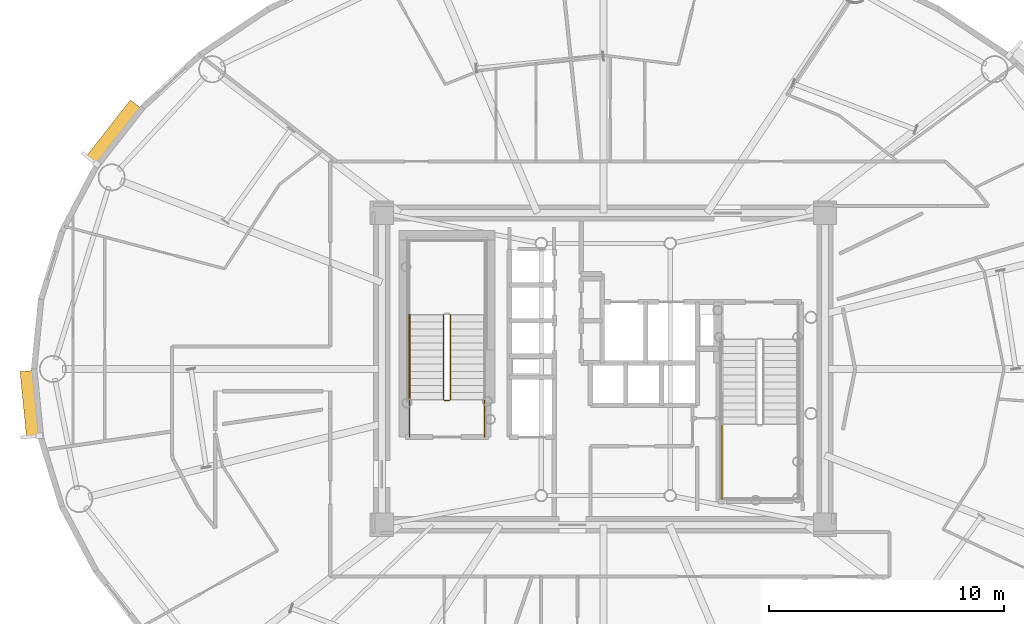
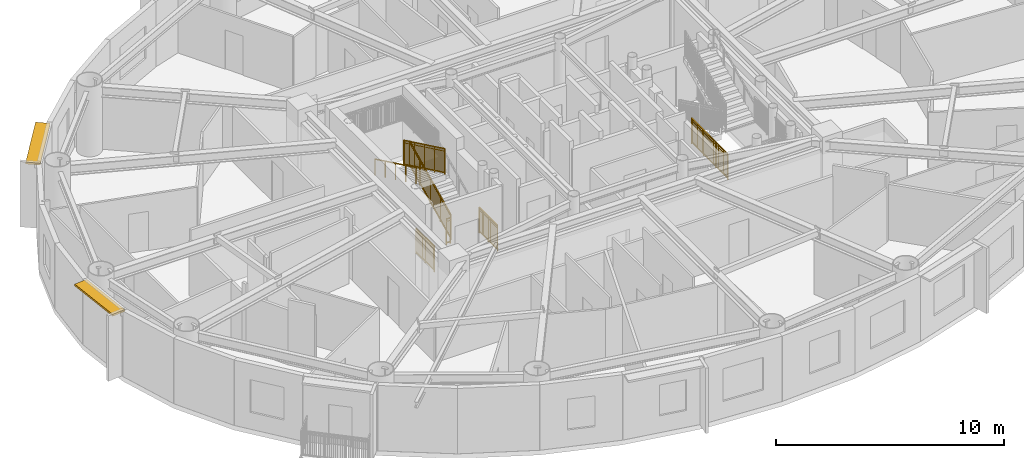
# One storey, part 15 of 20: 7 railings, 2 shading devices.
"""IFC4 building model written with IfcOpenShell, lengths in metres."""

from ifc_helpers import new_model, si_unit, direction, frame, origin, origin_2d, place, context, subcontext, project, spatial, rectangle, extrude, source, transform, mapped, material, layer, layer_set, type_object, element, save


model = new_model("IFC4")

# Units and contexts
model_context = context("Model", 3, precision=1e-05, world=origin(), true_north=direction((0.0, 1.0)))
body_context = subcontext(model_context, "Body", "Model", "MODEL_VIEW")
ifc_project = project(units=[si_unit("LENGTHUNIT", "METRE"), si_unit("AREAUNIT", "SQUARE_METRE"), si_unit("VOLUMEUNIT", "CUBIC_METRE"), si_unit("PLANEANGLEUNIT", "RADIAN"), si_unit("MASSUNIT", "GRAM", prefix="KILO")], contexts=[model_context])

# Site, building, storey
site_placement = place(None, origin())
site = spatial("IfcSite", under=ifc_project, at=site_placement, CompositionType="ELEMENT")
building_placement = place(site_placement, origin())
building = spatial("IfcBuilding", under=site, at=building_placement, Name="Linh Dai School and Residence Tower", CompositionType="ELEMENT")
storey_placement = place(building_placement, frame((0.0, 0.0, 232.800048828125)))
storey = spatial("IfcBuildingStorey", under=building, at=storey_placement, Name="L57", CompositionType="ELEMENT", Elevation=232.800048828125)

# Shading devices
ifc_material_1 = material(Name="Terracotta Ceramic Sunshade", Category="masonry")
ifc_layer = layer(ifc_material_1, 0.10009765625)
ifc_layer_set = layer_set([ifc_layer], Name="Terracotta Ceramic Sunshade")
shading_device_type = type_object("IfcShadingDeviceType", Name="SHD-TC-650", PredefinedType="USERDEFINED", material=ifc_layer_set)
shared_shape_1 = source(origin(), body_context, "Body", "SweptSolid", [
    extrude(rectangle(XDim=2.859619140625, YDim=0.64990234375, at=origin_2d()), origin(), (0.0, 0.0, 1.0), 0.10009765625),
])
shading_device_1_placement = place(storey_placement, frame((11.59033203125, 25.489501953125, 3.3798828125), z_axis=(0.0, 0.0, 1.0), x_axis=(-0.100012244219, 0.99498620644, 0.0)))
element("IfcShadingDevice", 1, at=shading_device_1_placement, inside=storey, type_object=shading_device_type, Name="L57 Terracotta Horizontal Sunshade Band 21", ObjectType="SUNSHADE", PredefinedType="USERDEFINED", context=body_context, shape_type="MappedRepresentation", body=[
    mapped(shared_shape_1, transform((0.0, 0.0, 0.0), x_axis=(1.0, 0.0, 0.0), y_axis=(0.0, 1.0, 0.0), z_axis=(0.0, 0.0, 1.0), scale=1.0)),
])
shared_shape_2 = source(origin(), body_context, "Body", "SweptSolid", [
    extrude(rectangle(XDim=3.095703125, YDim=0.64990234375, at=origin_2d()), origin(), (0.0, 0.0, 1.0), 0.10009765625),
])
shading_device_2_placement = place(storey_placement, frame((15.133544921875, 37.050537109375, 3.3798828125), z_axis=(0.0, 0.0, 1.0), x_axis=(0.616331674867, 0.787486677066, 0.0)))
element("IfcShadingDevice", 2, at=shading_device_2_placement, inside=storey, type_object=shading_device_type, Name="L57 Terracotta Horizontal Sunshade Band 17", ObjectType="SUNSHADE", PredefinedType="USERDEFINED", context=body_context, shape_type="MappedRepresentation", body=[
    mapped(shared_shape_2, transform((0.0, 0.0, 0.0), x_axis=(1.0, 0.0, 0.0), y_axis=(0.0, 1.0, 0.0), z_axis=(0.0, 0.0, 1.0), scale=1.0)),
])

# Railings
ifc_material_2 = material(Name="Structural Steel S355JR", Category="steel")
railing_type_1 = type_object("IfcRailingType", Name="RL-ST-GUARD-1400", PredefinedType="GUARDRAIL", material=ifc_material_2)
shared_shape_3 = source(origin(), body_context, "Body", "SweptSolid", [
    extrude(rectangle(XDim=0.048095703125, YDim=0.048095703125, at=origin_2d()), frame((0.0, 0.0, 1.3759765625), z_axis=(-1.0, 0.0, 0.0), x_axis=(0.0, -1.0, 0.0)), (0.0, 0.0, 1.0), 0.199951171875),
    extrude(rectangle(XDim=0.048095703125, YDim=0.048095703125, at=origin_2d()), frame((0.0, 0.0, 0.10009765625), z_axis=(-1.0, 0.0, 0.0), x_axis=(0.0, -1.0, 0.0)), (0.0, 0.0, 1.0), 0.199951171875),
    extrude(rectangle(XDim=0.030029296875, YDim=0.030029296875, at=origin_2d()), frame((0.0, 0.0, 1.239990234375), z_axis=(-1.0, 0.0, 0.0), x_axis=(0.0, -1.0, 0.0)), (0.0, 0.0, 1.0), 0.199951171875),
    extrude(rectangle(XDim=0.0419921875, YDim=0.0419921875, at=origin_2d()), origin(), (0.0, 0.0, 1.0), 1.3759765625),
    extrude(rectangle(XDim=0.0419921875, YDim=0.0419921875, at=origin_2d()), frame((-0.199951171875, 0.0, 0.0)), (0.0, 0.0, 1.0), 1.3759765625),
])
railing_1_placement = place(storey_placement, frame((29.429931640625, 25.64990234375, 0.0)))
element("IfcRailing", 3, at=railing_1_placement, inside=storey, type_object=railing_type_1, Name="L57 ST1 stair guard 7", PredefinedType="GUARDRAIL", context=body_context, shape_type="MappedRepresentation", body=[
    mapped(shared_shape_3, transform((0.0, 0.0, 0.0), x_axis=(1.0, 0.0, 0.0), y_axis=(0.0, 1.0, 0.0), z_axis=(0.0, 0.0, 1.0), scale=1.0)),
])
shared_shape_4 = source(origin(), body_context, "Body", "SweptSolid", [
    extrude(rectangle(XDim=0.048095703125, YDim=0.048095703125, at=origin_2d()), frame((0.0, 0.0, 1.3759765625), z_axis=(0.0, 1.0, 0.0), x_axis=(-1.0, 0.0, 0.0)), (0.0, 0.0, 1.0), 1.599853515625),
    extrude(rectangle(XDim=0.048095703125, YDim=0.048095703125, at=origin_2d()), frame((0.0, 0.0, 0.10009765625), z_axis=(0.0, 1.0, 0.0), x_axis=(-1.0, 0.0, 0.0)), (0.0, 0.0, 1.0), 1.599853515625),
    extrude(rectangle(XDim=0.030029296875, YDim=0.030029296875, at=origin_2d()), frame((0.0, 0.0, 1.239990234375), z_axis=(0.0, 1.0, 0.0), x_axis=(-1.0, 0.0, 0.0)), (0.0, 0.0, 1.0), 1.599853515625),
    extrude(rectangle(XDim=0.02001953125, YDim=0.02001953125, at=origin_2d()), frame((0.0, 0.093994140625, 0.10009765625)), (0.0, 0.0, 1.0), 1.251708984375),
    extrude(rectangle(XDim=0.02001953125, YDim=0.02001953125, at=origin_2d()), frame((0.0, 0.188232421875, 0.10009765625)), (0.0, 0.0, 1.0), 1.251708984375),
    extrude(rectangle(XDim=0.02001953125, YDim=0.02001953125, at=origin_2d()), frame((0.0, 0.2822265625, 0.10009765625)), (0.0, 0.0, 1.0), 1.251708984375),
    extrude(rectangle(XDim=0.02001953125, YDim=0.02001953125, at=origin_2d()), frame((0.0, 0.37646484375, 0.10009765625)), (0.0, 0.0, 1.0), 1.251708984375),
    extrude(rectangle(XDim=0.02001953125, YDim=0.02001953125, at=origin_2d()), frame((0.0, 0.470458984375, 0.10009765625)), (0.0, 0.0, 1.0), 1.251708984375),
    extrude(rectangle(XDim=0.02001953125, YDim=0.02001953125, at=origin_2d()), frame((0.0, 0.564697265625, 0.10009765625)), (0.0, 0.0, 1.0), 1.251708984375),
    extrude(rectangle(XDim=0.02001953125, YDim=0.02001953125, at=origin_2d()), frame((0.0, 0.65869140625, 0.10009765625)), (0.0, 0.0, 1.0), 1.251708984375),
    extrude(rectangle(XDim=0.02001953125, YDim=0.02001953125, at=origin_2d()), frame((0.0, 0.7529296875, 0.10009765625)), (0.0, 0.0, 1.0), 1.251708984375),
    extrude(rectangle(XDim=0.02001953125, YDim=0.02001953125, at=origin_2d()), frame((0.0, 0.846923828125, 0.10009765625)), (0.0, 0.0, 1.0), 1.251708984375),
    extrude(rectangle(XDim=0.02001953125, YDim=0.02001953125, at=origin_2d()), frame((0.0, 0.941162109375, 0.10009765625)), (0.0, 0.0, 1.0), 1.251708984375),
    extrude(rectangle(XDim=0.02001953125, YDim=0.02001953125, at=origin_2d()), frame((0.0, 1.03515625, 0.10009765625)), (0.0, 0.0, 1.0), 1.251708984375),
    extrude(rectangle(XDim=0.02001953125, YDim=0.02001953125, at=origin_2d()), frame((0.0, 1.12939453125, 0.10009765625)), (0.0, 0.0, 1.0), 1.251708984375),
    extrude(rectangle(XDim=0.02001953125, YDim=0.02001953125, at=origin_2d()), frame((0.0, 1.223388671875, 0.10009765625)), (0.0, 0.0, 1.0), 1.251708984375),
    extrude(rectangle(XDim=0.02001953125, YDim=0.02001953125, at=origin_2d()), frame((0.0, 1.317626953125, 0.10009765625)), (0.0, 0.0, 1.0), 1.251708984375),
    extrude(rectangle(XDim=0.02001953125, YDim=0.02001953125, at=origin_2d()), frame((0.0, 1.41162109375, 0.10009765625)), (0.0, 0.0, 1.0), 1.251708984375),
    extrude(rectangle(XDim=0.02001953125, YDim=0.02001953125, at=origin_2d()), frame((0.0, 1.505859375, 0.10009765625)), (0.0, 0.0, 1.0), 1.251708984375),
    extrude(rectangle(XDim=0.0419921875, YDim=0.0419921875, at=origin_2d()), origin(), (0.0, 0.0, 1.0), 1.3759765625),
    extrude(rectangle(XDim=0.0419921875, YDim=0.0419921875, at=origin_2d()), frame((0.0, 0.7998046875, 0.0)), (0.0, 0.0, 1.0), 1.3759765625),
    extrude(rectangle(XDim=0.0419921875, YDim=0.0419921875, at=origin_2d()), frame((0.0, 1.599853515625, 0.0)), (0.0, 0.0, 1.0), 1.3759765625),
])
for number, where, name in (
    (4, (30.929931640625, 24.10009765625, 0.0), "L57 ST1 stair guard 8"),
    (5, (27.72998046875, 24.10009765625, 0.0), "L57 ST1 stair guard 9"),
):
    element("IfcRailing", number, at=place(storey_placement, frame(where)), inside=storey, type_object=railing_type_1, Name=name, PredefinedType="GUARDRAIL", context=body_context, shape_type="MappedRepresentation", body=[
        mapped(shared_shape_4, transform((0.0, 0.0, 0.0), x_axis=(1.0, 0.0, 0.0), y_axis=(0.0, 1.0, 0.0), z_axis=(0.0, 0.0, 1.0), scale=1.0)),
    ])
shared_shape_5 = source(origin(), body_context, "Body", "SweptSolid", [
    extrude(rectangle(XDim=0.048095703125, YDim=0.048095703125, at=origin_2d()), frame((0.0, 0.0, 1.3759765625), z_axis=(0.0, 0.901262522062, 0.433273431364), x_axis=(-1.0, 0.0, 0.0)), (0.0, 0.0, 1.0), 3.994384765625),
    extrude(rectangle(XDim=0.048095703125, YDim=0.048095703125, at=origin_2d()), frame((0.0, 0.0, 0.10009765625), z_axis=(0.0, 0.901262522062, 0.433273431364), x_axis=(-1.0, 0.0, 0.0)), (0.0, 0.0, 1.0), 3.994384765625),
    extrude(rectangle(XDim=0.030029296875, YDim=0.030029296875, at=origin_2d()), frame((0.0, 0.0, 1.239990234375), z_axis=(0.0, 0.901262522062, 0.433273431364), x_axis=(-1.0, 0.0, 0.0)), (0.0, 0.0, 1.0), 3.994384765625),
    extrude(rectangle(XDim=0.02001953125, YDim=0.02001953125, at=origin_2d()), frame((0.0, 0.087890625, 0.142333984375)), (0.0, 0.0, 1.0), 1.251708984375),
    extrude(rectangle(XDim=0.02001953125, YDim=0.02001953125, at=origin_2d()), frame((0.0, 0.175537109375, 0.1845703125)), (0.0, 0.0, 1.0), 1.251708984375),
    extrude(rectangle(XDim=0.02001953125, YDim=0.02001953125, at=origin_2d()), frame((0.0, 0.263427734375, 0.226806640625)), (0.0, 0.0, 1.0), 1.251708984375),
    extrude(rectangle(XDim=0.02001953125, YDim=0.02001953125, at=origin_2d()), frame((0.0, 0.351318359375, 0.26904296875)), (0.0, 0.0, 1.0), 1.251708984375),
    extrude(rectangle(XDim=0.02001953125, YDim=0.02001953125, at=origin_2d()), frame((0.0, 0.43896484375, 0.311279296875)), (0.0, 0.0, 1.0), 1.251708984375),
    extrude(rectangle(XDim=0.02001953125, YDim=0.02001953125, at=origin_2d()), frame((0.0, 0.52685546875, 0.353271484375)), (0.0, 0.0, 1.0), 1.251708984375),
    extrude(rectangle(XDim=0.02001953125, YDim=0.02001953125, at=origin_2d()), frame((0.0, 0.61474609375, 0.3955078125)), (0.0, 0.0, 1.0), 1.251708984375),
    extrude(rectangle(XDim=0.02001953125, YDim=0.02001953125, at=origin_2d()), frame((0.0, 0.702392578125, 0.437744140625)), (0.0, 0.0, 1.0), 1.251708984375),
    extrude(rectangle(XDim=0.02001953125, YDim=0.02001953125, at=origin_2d()), frame((0.0, 0.790283203125, 0.47998046875)), (0.0, 0.0, 1.0), 1.251708984375),
    extrude(rectangle(XDim=0.02001953125, YDim=0.02001953125, at=origin_2d()), frame((0.0, 0.9658203125, 0.564453125)), (0.0, 0.0, 1.0), 1.251708984375),
    extrude(rectangle(XDim=0.02001953125, YDim=0.02001953125, at=origin_2d()), frame((0.0, 1.0537109375, 0.606689453125)), (0.0, 0.0, 1.0), 1.251708984375),
    extrude(rectangle(XDim=0.02001953125, YDim=0.02001953125, at=origin_2d()), frame((0.0, 1.1416015625, 0.64892578125)), (0.0, 0.0, 1.0), 1.251708984375),
    extrude(rectangle(XDim=0.02001953125, YDim=0.02001953125, at=origin_2d()), frame((0.0, 1.229248046875, 0.691162109375)), (0.0, 0.0, 1.0), 1.251708984375),
    extrude(rectangle(XDim=0.02001953125, YDim=0.02001953125, at=origin_2d()), frame((0.0, 1.317138671875, 0.7333984375)), (0.0, 0.0, 1.0), 1.251708984375),
    extrude(rectangle(XDim=0.02001953125, YDim=0.02001953125, at=origin_2d()), frame((0.0, 1.405029296875, 0.775390625)), (0.0, 0.0, 1.0), 1.251708984375),
    extrude(rectangle(XDim=0.02001953125, YDim=0.02001953125, at=origin_2d()), frame((0.0, 1.49267578125, 0.817626953125)), (0.0, 0.0, 1.0), 1.251708984375),
    extrude(rectangle(XDim=0.02001953125, YDim=0.02001953125, at=origin_2d()), frame((0.0, 1.58056640625, 0.85986328125)), (0.0, 0.0, 1.0), 1.251708984375),
    extrude(rectangle(XDim=0.02001953125, YDim=0.02001953125, at=origin_2d()), frame((0.0, 1.66845703125, 0.902099609375)), (0.0, 0.0, 1.0), 1.251708984375),
    extrude(rectangle(XDim=0.02001953125, YDim=0.02001953125, at=origin_2d()), frame((0.0, 1.756103515625, 0.9443359375)), (0.0, 0.0, 1.0), 1.251708984375),
    extrude(rectangle(XDim=0.02001953125, YDim=0.02001953125, at=origin_2d()), frame((0.0, 1.843994140625, 0.986572265625)), (0.0, 0.0, 1.0), 1.251708984375),
    extrude(rectangle(XDim=0.02001953125, YDim=0.02001953125, at=origin_2d()), frame((0.0, 1.931640625, 1.02880859375)), (0.0, 0.0, 1.0), 1.251708984375),
    extrude(rectangle(XDim=0.02001953125, YDim=0.02001953125, at=origin_2d()), frame((0.0, 2.01953125, 1.071044921875)), (0.0, 0.0, 1.0), 1.251708984375),
    extrude(rectangle(XDim=0.02001953125, YDim=0.02001953125, at=origin_2d()), frame((0.0, 2.107421875, 1.11328125)), (0.0, 0.0, 1.0), 1.251708984375),
    extrude(rectangle(XDim=0.02001953125, YDim=0.02001953125, at=origin_2d()), frame((0.0, 2.195068359375, 1.155517578125)), (0.0, 0.0, 1.0), 1.251708984375),
    extrude(rectangle(XDim=0.02001953125, YDim=0.02001953125, at=origin_2d()), frame((0.0, 2.282958984375, 1.197509765625)), (0.0, 0.0, 1.0), 1.251708984375),
    extrude(rectangle(XDim=0.02001953125, YDim=0.02001953125, at=origin_2d()), frame((0.0, 2.370849609375, 1.23974609375)), (0.0, 0.0, 1.0), 1.251708984375),
    extrude(rectangle(XDim=0.02001953125, YDim=0.02001953125, at=origin_2d()), frame((0.0, 2.45849609375, 1.281982421875)), (0.0, 0.0, 1.0), 1.251708984375),
    extrude(rectangle(XDim=0.02001953125, YDim=0.02001953125, at=origin_2d()), frame((0.0, 2.54638671875, 1.32421875)), (0.0, 0.0, 1.0), 1.251708984375),
    extrude(rectangle(XDim=0.02001953125, YDim=0.02001953125, at=origin_2d()), frame((0.0, 2.63427734375, 1.366455078125)), (0.0, 0.0, 1.0), 1.251708984375),
    extrude(rectangle(XDim=0.02001953125, YDim=0.02001953125, at=origin_2d()), frame((0.0, 2.809814453125, 1.450927734375)), (0.0, 0.0, 1.0), 1.251708984375),
    extrude(rectangle(XDim=0.02001953125, YDim=0.02001953125, at=origin_2d()), frame((0.0, 2.897705078125, 1.4931640625)), (0.0, 0.0, 1.0), 1.251708984375),
    extrude(rectangle(XDim=0.02001953125, YDim=0.02001953125, at=origin_2d()), frame((0.0, 2.9853515625, 1.535400390625)), (0.0, 0.0, 1.0), 1.251708984375),
    extrude(rectangle(XDim=0.02001953125, YDim=0.02001953125, at=origin_2d()), frame((0.0, 3.0732421875, 1.57763671875)), (0.0, 0.0, 1.0), 1.251708984375),
    extrude(rectangle(XDim=0.02001953125, YDim=0.02001953125, at=origin_2d()), frame((0.0, 3.1611328125, 1.61962890625)), (0.0, 0.0, 1.0), 1.251708984375),
    extrude(rectangle(XDim=0.02001953125, YDim=0.02001953125, at=origin_2d()), frame((0.0, 3.248779296875, 1.661865234375)), (0.0, 0.0, 1.0), 1.251708984375),
    extrude(rectangle(XDim=0.02001953125, YDim=0.02001953125, at=origin_2d()), frame((0.0, 3.336669921875, 1.7041015625)), (0.0, 0.0, 1.0), 1.251708984375),
    extrude(rectangle(XDim=0.02001953125, YDim=0.02001953125, at=origin_2d()), frame((0.0, 3.424560546875, 1.746337890625)), (0.0, 0.0, 1.0), 1.251708984375),
    extrude(rectangle(XDim=0.02001953125, YDim=0.02001953125, at=origin_2d()), frame((0.0, 3.51220703125, 1.78857421875)), (0.0, 0.0, 1.0), 1.251708984375),
    extrude(rectangle(XDim=0.0419921875, YDim=0.0419921875, at=origin_2d()), origin(), (0.0, 0.0, 1.0), 1.3759765625),
    extrude(rectangle(XDim=0.0419921875, YDim=0.0419921875, at=origin_2d()), frame((0.0, 0.89990234375, 0.4326171875)), (0.0, 0.0, 1.0), 1.3759765625),
    extrude(rectangle(XDim=0.0419921875, YDim=0.0419921875, at=origin_2d()), frame((0.0, 1.800048828125, 0.865234375)), (0.0, 0.0, 1.0), 1.3759765625),
    extrude(rectangle(XDim=0.0419921875, YDim=0.0419921875, at=origin_2d()), frame((0.0, 2.7001953125, 1.298095703125)), (0.0, 0.0, 1.0), 1.3759765625),
    extrude(rectangle(XDim=0.0419921875, YDim=0.0419921875, at=origin_2d()), frame((0.0, 3.60009765625, 1.730712890625)), (0.0, 0.0, 1.0), 1.3759765625),
])
railing_2_placement = place(storey_placement, frame((29.47998046875, 25.699951171875, 0.144287109375)))
element("IfcRailing", 6, at=railing_2_placement, inside=storey, type_object=railing_type_1, Name="L57 ST1 stair guard 1", PredefinedType="GUARDRAIL", context=body_context, shape_type="MappedRepresentation", body=[
    mapped(shared_shape_5, transform((0.0, 0.0, 0.0), x_axis=(1.0, 0.0, 0.0), y_axis=(0.0, 1.0, 0.0), z_axis=(0.0, 0.0, 1.0), scale=1.0)),
])
shared_shape_6 = source(origin(), body_context, "Body", "SweptSolid", [
    extrude(rectangle(XDim=0.048095703125, YDim=0.048095703125, at=origin_2d()), frame((0.0, 0.0, 1.3759765625), z_axis=(0.0, -0.901262522062, 0.433273431364), x_axis=(1.0, 0.0, 0.0)), (0.0, 0.0, 1.0), 3.994384765625),
    extrude(rectangle(XDim=0.048095703125, YDim=0.048095703125, at=origin_2d()), frame((0.0, 0.0, 0.10009765625), z_axis=(0.0, -0.901262522062, 0.433273431364), x_axis=(1.0, 0.0, 0.0)), (0.0, 0.0, 1.0), 3.994384765625),
    extrude(rectangle(XDim=0.030029296875, YDim=0.030029296875, at=origin_2d()), frame((0.0, 0.0, 1.239990234375), z_axis=(0.0, -0.901262522062, 0.433273431364), x_axis=(1.0, 0.0, 0.0)), (0.0, 0.0, 1.0), 3.994384765625),
    extrude(rectangle(XDim=0.02001953125, YDim=0.02001953125, at=origin_2d()), frame((0.0, -0.087890625, 0.142333984375)), (0.0, 0.0, 1.0), 1.251708984375),
    extrude(rectangle(XDim=0.02001953125, YDim=0.02001953125, at=origin_2d()), frame((0.0, -0.175537109375, 0.1845703125)), (0.0, 0.0, 1.0), 1.251708984375),
    extrude(rectangle(XDim=0.02001953125, YDim=0.02001953125, at=origin_2d()), frame((0.0, -0.263427734375, 0.226806640625)), (0.0, 0.0, 1.0), 1.251708984375),
    extrude(rectangle(XDim=0.02001953125, YDim=0.02001953125, at=origin_2d()), frame((0.0, -0.351318359375, 0.26904296875)), (0.0, 0.0, 1.0), 1.251708984375),
    extrude(rectangle(XDim=0.02001953125, YDim=0.02001953125, at=origin_2d()), frame((0.0, -0.43896484375, 0.311279296875)), (0.0, 0.0, 1.0), 1.251708984375),
    extrude(rectangle(XDim=0.02001953125, YDim=0.02001953125, at=origin_2d()), frame((0.0, -0.52685546875, 0.353271484375)), (0.0, 0.0, 1.0), 1.251708984375),
    extrude(rectangle(XDim=0.02001953125, YDim=0.02001953125, at=origin_2d()), frame((0.0, -0.61474609375, 0.3955078125)), (0.0, 0.0, 1.0), 1.251708984375),
    extrude(rectangle(XDim=0.02001953125, YDim=0.02001953125, at=origin_2d()), frame((0.0, -0.702392578125, 0.437744140625)), (0.0, 0.0, 1.0), 1.251708984375),
    extrude(rectangle(XDim=0.02001953125, YDim=0.02001953125, at=origin_2d()), frame((0.0, -0.790283203125, 0.47998046875)), (0.0, 0.0, 1.0), 1.251708984375),
    extrude(rectangle(XDim=0.02001953125, YDim=0.02001953125, at=origin_2d()), frame((0.0, -0.9658203125, 0.564453125)), (0.0, 0.0, 1.0), 1.251708984375),
    extrude(rectangle(XDim=0.02001953125, YDim=0.02001953125, at=origin_2d()), frame((0.0, -1.0537109375, 0.606689453125)), (0.0, 0.0, 1.0), 1.251708984375),
    extrude(rectangle(XDim=0.02001953125, YDim=0.02001953125, at=origin_2d()), frame((0.0, -1.1416015625, 0.64892578125)), (0.0, 0.0, 1.0), 1.251708984375),
    extrude(rectangle(XDim=0.02001953125, YDim=0.02001953125, at=origin_2d()), frame((0.0, -1.229248046875, 0.691162109375)), (0.0, 0.0, 1.0), 1.251708984375),
    extrude(rectangle(XDim=0.02001953125, YDim=0.02001953125, at=origin_2d()), frame((0.0, -1.317138671875, 0.7333984375)), (0.0, 0.0, 1.0), 1.251708984375),
    extrude(rectangle(XDim=0.02001953125, YDim=0.02001953125, at=origin_2d()), frame((0.0, -1.405029296875, 0.775390625)), (0.0, 0.0, 1.0), 1.251708984375),
    extrude(rectangle(XDim=0.02001953125, YDim=0.02001953125, at=origin_2d()), frame((0.0, -1.49267578125, 0.817626953125)), (0.0, 0.0, 1.0), 1.251708984375),
    extrude(rectangle(XDim=0.02001953125, YDim=0.02001953125, at=origin_2d()), frame((0.0, -1.58056640625, 0.85986328125)), (0.0, 0.0, 1.0), 1.251708984375),
    extrude(rectangle(XDim=0.02001953125, YDim=0.02001953125, at=origin_2d()), frame((0.0, -1.66845703125, 0.902099609375)), (0.0, 0.0, 1.0), 1.251708984375),
    extrude(rectangle(XDim=0.02001953125, YDim=0.02001953125, at=origin_2d()), frame((0.0, -1.756103515625, 0.9443359375)), (0.0, 0.0, 1.0), 1.251708984375),
    extrude(rectangle(XDim=0.02001953125, YDim=0.02001953125, at=origin_2d()), frame((0.0, -1.843994140625, 0.986572265625)), (0.0, 0.0, 1.0), 1.251708984375),
    extrude(rectangle(XDim=0.02001953125, YDim=0.02001953125, at=origin_2d()), frame((0.0, -1.931640625, 1.02880859375)), (0.0, 0.0, 1.0), 1.251708984375),
    extrude(rectangle(XDim=0.02001953125, YDim=0.02001953125, at=origin_2d()), frame((0.0, -2.01953125, 1.071044921875)), (0.0, 0.0, 1.0), 1.251708984375),
    extrude(rectangle(XDim=0.02001953125, YDim=0.02001953125, at=origin_2d()), frame((0.0, -2.107421875, 1.11328125)), (0.0, 0.0, 1.0), 1.251708984375),
    extrude(rectangle(XDim=0.02001953125, YDim=0.02001953125, at=origin_2d()), frame((0.0, -2.195068359375, 1.155517578125)), (0.0, 0.0, 1.0), 1.251708984375),
    extrude(rectangle(XDim=0.02001953125, YDim=0.02001953125, at=origin_2d()), frame((0.0, -2.282958984375, 1.197509765625)), (0.0, 0.0, 1.0), 1.251708984375),
    extrude(rectangle(XDim=0.02001953125, YDim=0.02001953125, at=origin_2d()), frame((0.0, -2.370849609375, 1.23974609375)), (0.0, 0.0, 1.0), 1.251708984375),
    extrude(rectangle(XDim=0.02001953125, YDim=0.02001953125, at=origin_2d()), frame((0.0, -2.45849609375, 1.281982421875)), (0.0, 0.0, 1.0), 1.251708984375),
    extrude(rectangle(XDim=0.02001953125, YDim=0.02001953125, at=origin_2d()), frame((0.0, -2.54638671875, 1.32421875)), (0.0, 0.0, 1.0), 1.251708984375),
    extrude(rectangle(XDim=0.02001953125, YDim=0.02001953125, at=origin_2d()), frame((0.0, -2.63427734375, 1.366455078125)), (0.0, 0.0, 1.0), 1.251708984375),
    extrude(rectangle(XDim=0.02001953125, YDim=0.02001953125, at=origin_2d()), frame((0.0, -2.809814453125, 1.450927734375)), (0.0, 0.0, 1.0), 1.251708984375),
    extrude(rectangle(XDim=0.02001953125, YDim=0.02001953125, at=origin_2d()), frame((0.0, -2.897705078125, 1.4931640625)), (0.0, 0.0, 1.0), 1.251708984375),
    extrude(rectangle(XDim=0.02001953125, YDim=0.02001953125, at=origin_2d()), frame((0.0, -2.9853515625, 1.535400390625)), (0.0, 0.0, 1.0), 1.251708984375),
    extrude(rectangle(XDim=0.02001953125, YDim=0.02001953125, at=origin_2d()), frame((0.0, -3.0732421875, 1.57763671875)), (0.0, 0.0, 1.0), 1.251708984375),
    extrude(rectangle(XDim=0.02001953125, YDim=0.02001953125, at=origin_2d()), frame((0.0, -3.1611328125, 1.61962890625)), (0.0, 0.0, 1.0), 1.251708984375),
    extrude(rectangle(XDim=0.02001953125, YDim=0.02001953125, at=origin_2d()), frame((0.0, -3.248779296875, 1.661865234375)), (0.0, 0.0, 1.0), 1.251708984375),
    extrude(rectangle(XDim=0.02001953125, YDim=0.02001953125, at=origin_2d()), frame((0.0, -3.336669921875, 1.7041015625)), (0.0, 0.0, 1.0), 1.251708984375),
    extrude(rectangle(XDim=0.02001953125, YDim=0.02001953125, at=origin_2d()), frame((0.0, -3.424560546875, 1.746337890625)), (0.0, 0.0, 1.0), 1.251708984375),
    extrude(rectangle(XDim=0.02001953125, YDim=0.02001953125, at=origin_2d()), frame((0.0, -3.51220703125, 1.78857421875)), (0.0, 0.0, 1.0), 1.251708984375),
    extrude(rectangle(XDim=0.0419921875, YDim=0.0419921875, at=origin_2d()), origin(), (0.0, 0.0, 1.0), 1.3759765625),
    extrude(rectangle(XDim=0.0419921875, YDim=0.0419921875, at=origin_2d()), frame((0.0, -0.89990234375, 0.4326171875)), (0.0, 0.0, 1.0), 1.3759765625),
    extrude(rectangle(XDim=0.0419921875, YDim=0.0419921875, at=origin_2d()), frame((0.0, -1.800048828125, 0.865234375)), (0.0, 0.0, 1.0), 1.3759765625),
    extrude(rectangle(XDim=0.0419921875, YDim=0.0419921875, at=origin_2d()), frame((0.0, -2.7001953125, 1.298095703125)), (0.0, 0.0, 1.0), 1.3759765625),
    extrude(rectangle(XDim=0.0419921875, YDim=0.0419921875, at=origin_2d()), frame((0.0, -3.60009765625, 1.730712890625)), (0.0, 0.0, 1.0), 1.3759765625),
])
railing_3_placement = place(storey_placement, frame((29.179931640625, 29.300048828125, 2.019287109375)))
element("IfcRailing", 7, at=railing_3_placement, inside=storey, type_object=railing_type_1, Name="L57 ST1 stair guard 6", PredefinedType="GUARDRAIL", context=body_context, shape_type="MappedRepresentation", body=[
    mapped(shared_shape_6, transform((0.0, 0.0, 0.0), x_axis=(1.0, 0.0, 0.0), y_axis=(0.0, 1.0, 0.0), z_axis=(0.0, 0.0, 1.0), scale=1.0)),
])
ifc_material_3 = material(Name="Brushed Stainless Steel Handrail", Category="steel")
railing_type_2 = type_object("IfcRailingType", Name="RL-ST-HANDRAIL-900", PredefinedType="HANDRAIL", material=ifc_material_3)
shared_shape_7 = source(origin(), body_context, "Body", "SweptSolid", [
    extrude(rectangle(XDim=0.048095703125, YDim=0.048095703125, at=origin_2d()), frame((0.0, 0.0, 0.8759765625), z_axis=(0.0, -0.901262522062, 0.433273431364), x_axis=(1.0, 0.0, 0.0)), (0.0, 0.0, 1.0), 3.994384765625),
    extrude(rectangle(XDim=0.0419921875, YDim=0.0419921875, at=origin_2d()), origin(), (0.0, 0.0, 1.0), 0.8759765625),
    extrude(rectangle(XDim=0.0419921875, YDim=0.0419921875, at=origin_2d()), frame((0.0, -0.89990234375, 0.4326171875)), (0.0, 0.0, 1.0), 0.8759765625),
    extrude(rectangle(XDim=0.0419921875, YDim=0.0419921875, at=origin_2d()), frame((0.0, -1.800048828125, 0.865234375)), (0.0, 0.0, 1.0), 0.8759765625),
    extrude(rectangle(XDim=0.0419921875, YDim=0.0419921875, at=origin_2d()), frame((0.0, -2.7001953125, 1.298095703125)), (0.0, 0.0, 1.0), 0.8759765625),
    extrude(rectangle(XDim=0.0419921875, YDim=0.0419921875, at=origin_2d()), frame((0.0, -3.60009765625, 1.730712890625)), (0.0, 0.0, 1.0), 0.8759765625),
])
railing_4_placement = place(storey_placement, frame((27.72998046875, 29.300048828125, 2.019287109375)))
element("IfcRailing", 8, at=railing_4_placement, inside=storey, type_object=railing_type_2, Name="L57 ST1 stair handrail 2", PredefinedType="HANDRAIL", context=body_context, shape_type="MappedRepresentation", body=[
    mapped(shared_shape_7, transform((0.0, 0.0, 0.0), x_axis=(1.0, 0.0, 0.0), y_axis=(0.0, 1.0, 0.0), z_axis=(0.0, 0.0, 1.0), scale=1.0)),
])
shared_shape_8 = source(origin(), body_context, "Body", "SweptSolid", [
    extrude(rectangle(XDim=0.048095703125, YDim=0.048095703125, at=origin_2d()), frame((0.0, 0.0, 1.3759765625), z_axis=(0.0, -1.0, 0.0), x_axis=(1.0, 0.0, 0.0)), (0.0, 0.0, 1.0), 3.199951171875),
    extrude(rectangle(XDim=0.048095703125, YDim=0.048095703125, at=origin_2d()), frame((0.0, 0.0, 0.10009765625), z_axis=(0.0, -1.0, 0.0), x_axis=(1.0, 0.0, 0.0)), (0.0, 0.0, 1.0), 3.199951171875),
    extrude(rectangle(XDim=0.030029296875, YDim=0.030029296875, at=origin_2d()), frame((0.0, 0.0, 1.239990234375), z_axis=(0.0, -1.0, 0.0), x_axis=(1.0, 0.0, 0.0)), (0.0, 0.0, 1.0), 3.199951171875),
    extrude(rectangle(XDim=0.02001953125, YDim=0.02001953125, at=origin_2d()), frame((0.0, -0.096923828125, 0.10009765625)), (0.0, 0.0, 1.0), 1.251708984375),
    extrude(rectangle(XDim=0.02001953125, YDim=0.02001953125, at=origin_2d()), frame((0.0, -0.19384765625, 0.10009765625)), (0.0, 0.0, 1.0), 1.251708984375),
    extrude(rectangle(XDim=0.02001953125, YDim=0.02001953125, at=origin_2d()), frame((0.0, -0.291015625, 0.10009765625)), (0.0, 0.0, 1.0), 1.251708984375),
    extrude(rectangle(XDim=0.02001953125, YDim=0.02001953125, at=origin_2d()), frame((0.0, -0.387939453125, 0.10009765625)), (0.0, 0.0, 1.0), 1.251708984375),
    extrude(rectangle(XDim=0.02001953125, YDim=0.02001953125, at=origin_2d()), frame((0.0, -0.48486328125, 0.10009765625)), (0.0, 0.0, 1.0), 1.251708984375),
    extrude(rectangle(XDim=0.02001953125, YDim=0.02001953125, at=origin_2d()), frame((0.0, -0.581787109375, 0.10009765625)), (0.0, 0.0, 1.0), 1.251708984375),
    extrude(rectangle(XDim=0.02001953125, YDim=0.02001953125, at=origin_2d()), frame((0.0, -0.6787109375, 0.10009765625)), (0.0, 0.0, 1.0), 1.251708984375),
    extrude(rectangle(XDim=0.02001953125, YDim=0.02001953125, at=origin_2d()), frame((0.0, -0.775634765625, 0.10009765625)), (0.0, 0.0, 1.0), 1.251708984375),
    extrude(rectangle(XDim=0.02001953125, YDim=0.02001953125, at=origin_2d()), frame((0.0, -0.872802734375, 0.10009765625)), (0.0, 0.0, 1.0), 1.251708984375),
    extrude(rectangle(XDim=0.02001953125, YDim=0.02001953125, at=origin_2d()), frame((0.0, -0.9697265625, 0.10009765625)), (0.0, 0.0, 1.0), 1.251708984375),
    extrude(rectangle(XDim=0.02001953125, YDim=0.02001953125, at=origin_2d()), frame((0.0, -1.16357421875, 0.10009765625)), (0.0, 0.0, 1.0), 1.251708984375),
    extrude(rectangle(XDim=0.02001953125, YDim=0.02001953125, at=origin_2d()), frame((0.0, -1.260498046875, 0.10009765625)), (0.0, 0.0, 1.0), 1.251708984375),
    extrude(rectangle(XDim=0.02001953125, YDim=0.02001953125, at=origin_2d()), frame((0.0, -1.357666015625, 0.10009765625)), (0.0, 0.0, 1.0), 1.251708984375),
    extrude(rectangle(XDim=0.02001953125, YDim=0.02001953125, at=origin_2d()), frame((0.0, -1.45458984375, 0.10009765625)), (0.0, 0.0, 1.0), 1.251708984375),
    extrude(rectangle(XDim=0.02001953125, YDim=0.02001953125, at=origin_2d()), frame((0.0, -1.551513671875, 0.10009765625)), (0.0, 0.0, 1.0), 1.251708984375),
    extrude(rectangle(XDim=0.02001953125, YDim=0.02001953125, at=origin_2d()), frame((0.0, -1.6484375, 0.10009765625)), (0.0, 0.0, 1.0), 1.251708984375),
    extrude(rectangle(XDim=0.02001953125, YDim=0.02001953125, at=origin_2d()), frame((0.0, -1.745361328125, 0.10009765625)), (0.0, 0.0, 1.0), 1.251708984375),
    extrude(rectangle(XDim=0.02001953125, YDim=0.02001953125, at=origin_2d()), frame((0.0, -1.84228515625, 0.10009765625)), (0.0, 0.0, 1.0), 1.251708984375),
    extrude(rectangle(XDim=0.02001953125, YDim=0.02001953125, at=origin_2d()), frame((0.0, -1.939453125, 0.10009765625)), (0.0, 0.0, 1.0), 1.251708984375),
    extrude(rectangle(XDim=0.02001953125, YDim=0.02001953125, at=origin_2d()), frame((0.0, -2.036376953125, 0.10009765625)), (0.0, 0.0, 1.0), 1.251708984375),
    extrude(rectangle(XDim=0.02001953125, YDim=0.02001953125, at=origin_2d()), frame((0.0, -2.230224609375, 0.10009765625)), (0.0, 0.0, 1.0), 1.251708984375),
    extrude(rectangle(XDim=0.02001953125, YDim=0.02001953125, at=origin_2d()), frame((0.0, -2.3271484375, 0.10009765625)), (0.0, 0.0, 1.0), 1.251708984375),
    extrude(rectangle(XDim=0.02001953125, YDim=0.02001953125, at=origin_2d()), frame((0.0, -2.42431640625, 0.10009765625)), (0.0, 0.0, 1.0), 1.251708984375),
    extrude(rectangle(XDim=0.02001953125, YDim=0.02001953125, at=origin_2d()), frame((0.0, -2.521240234375, 0.10009765625)), (0.0, 0.0, 1.0), 1.251708984375),
    extrude(rectangle(XDim=0.02001953125, YDim=0.02001953125, at=origin_2d()), frame((0.0, -2.6181640625, 0.10009765625)), (0.0, 0.0, 1.0), 1.251708984375),
    extrude(rectangle(XDim=0.02001953125, YDim=0.02001953125, at=origin_2d()), frame((0.0, -2.715087890625, 0.10009765625)), (0.0, 0.0, 1.0), 1.251708984375),
    extrude(rectangle(XDim=0.02001953125, YDim=0.02001953125, at=origin_2d()), frame((0.0, -2.81201171875, 0.10009765625)), (0.0, 0.0, 1.0), 1.251708984375),
    extrude(rectangle(XDim=0.02001953125, YDim=0.02001953125, at=origin_2d()), frame((0.0, -2.908935546875, 0.10009765625)), (0.0, 0.0, 1.0), 1.251708984375),
    extrude(rectangle(XDim=0.02001953125, YDim=0.02001953125, at=origin_2d()), frame((0.0, -3.006103515625, 0.10009765625)), (0.0, 0.0, 1.0), 1.251708984375),
    extrude(rectangle(XDim=0.02001953125, YDim=0.02001953125, at=origin_2d()), frame((0.0, -3.10302734375, 0.10009765625)), (0.0, 0.0, 1.0), 1.251708984375),
    extrude(rectangle(XDim=0.0419921875, YDim=0.0419921875, at=origin_2d()), origin(), (0.0, 0.0, 1.0), 1.3759765625),
    extrude(rectangle(XDim=0.0419921875, YDim=0.0419921875, at=origin_2d()), frame((0.0, -1.066650390625, 0.0)), (0.0, 0.0, 1.0), 1.3759765625),
    extrude(rectangle(XDim=0.0419921875, YDim=0.0419921875, at=origin_2d()), frame((0.0, -2.13330078125, 0.0)), (0.0, 0.0, 1.0), 1.3759765625),
    extrude(rectangle(XDim=0.0419921875, YDim=0.0419921875, at=origin_2d()), frame((0.0, -3.199951171875, 0.0)), (0.0, 0.0, 1.0), 1.3759765625),
])
railing_5_placement = place(storey_placement, frame((41.070068359375, 24.64990234375, 1.875)))
element("IfcRailing", 9, at=railing_5_placement, inside=storey, type_object=railing_type_1, Name="L57 ST2 stair guard 3", PredefinedType="GUARDRAIL", context=body_context, shape_type="MappedRepresentation", body=[
    mapped(shared_shape_8, transform((0.0, 0.0, 0.0), x_axis=(1.0, 0.0, 0.0), y_axis=(0.0, 1.0, 0.0), z_axis=(0.0, 0.0, 1.0), scale=1.0)),
])

save(model, "model.ifc")
